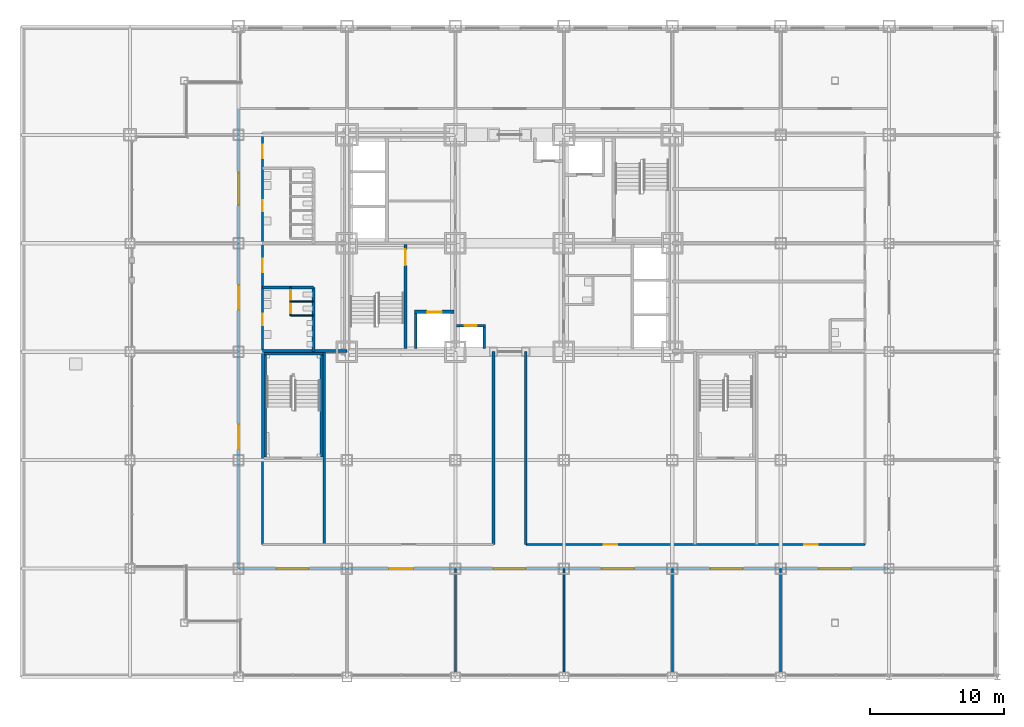
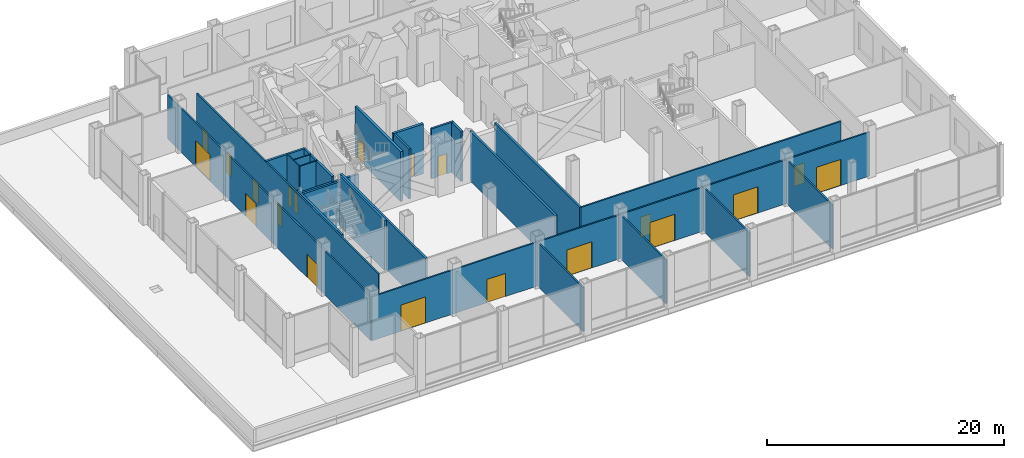
# One storey, part 19 of 26: 25 walls, 20 doors, 20 openings.
"""IFC4 building model written with IfcOpenShell, lengths in metres."""

from ifc_helpers import new_model, si_unit, direction, frame, frame_2d, origin, place, context, subcontext, project, spatial, rectangle, extrude, material, layer, layer_set, type_object, element, fill, save


model = new_model("IFC4")

# Units and contexts
model_context = context("Model", 3, precision=1e-05, world=origin(), true_north=direction((0.0, 1.0)))
body_context = subcontext(model_context, "Body", "Model", "MODEL_VIEW")
ifc_project = project(units=[si_unit("LENGTHUNIT", "METRE"), si_unit("AREAUNIT", "SQUARE_METRE"), si_unit("VOLUMEUNIT", "CUBIC_METRE"), si_unit("PLANEANGLEUNIT", "RADIAN"), si_unit("MASSUNIT", "GRAM", prefix="KILO")], contexts=[model_context])

# Site, building, storey
site_placement = place(None, origin())
site = spatial("IfcSite", under=ifc_project, at=site_placement, CompositionType="ELEMENT")
building_placement = place(site_placement, origin())
building = spatial("IfcBuilding", under=site, at=building_placement, Name="Kopane Lantern Tower", CompositionType="ELEMENT")
storey_placement = place(building_placement, frame((0.0, 0.0, 16.800048828125)))
storey = spatial("IfcBuildingStorey", under=building, at=storey_placement, Name="L03", CompositionType="ELEMENT", Elevation=16.800048828125)

# Wall, openings, doors
ifc_material_1 = material(Name="Moisture-resistant board on steel studs", Category="steel")
ifc_layer_1 = layer(ifc_material_1, 0.10009765625)
ifc_layer_set_1 = layer_set([ifc_layer_1], Name="BATHROOM WALL 100")
wall_type_1 = type_object("IfcWallType", Name="BATHROOM WALL 100", PredefinedType="PARTITIONING", material=ifc_layer_set_1)
wall_1_placement = place(storey_placement, frame((12.0, 27.0, 0.0), z_axis=(0.0, 0.0, 1.0), x_axis=(0.0, 1.0, 0.0)))
wall_1 = element("IfcWall", 1, at=wall_1_placement, inside=storey, type_object=wall_type_1, Name="Bathroom Wall 100 L03", PredefinedType="PARTITIONING", context=body_context, shape_type="SweptSolid", body=[
    extrude(rectangle(XDim=2.10009765625, YDim=0.10009765625, at=frame_2d((1.050048828125, 0.0))), origin(), (0.0, 0.0, 1.0), 5.14990234375),
])
opening_1_placement = place(wall_1_placement, frame((0.175048828125, 0.0, 0.0)))
opening_1 = element("IfcOpeningElement", 2, at=opening_1_placement, cuts=wall_1, Name="Opening L03-032", PredefinedType="OPENING", context=body_context, shape_type="SweptSolid", body=[
    extrude(rectangle(XDim=0.699951171875, YDim=2.0, at=frame_2d((0.35009765625, 1.0))), frame((0.0, 0.06005859375, 0.0), z_axis=(0.0, -1.0, 0.0), x_axis=(1.0, 0.0, 0.0)), (0.0, 0.0, 1.0), 0.1201171875),
])
opening_2_placement = place(wall_1_placement, frame((1.199951171875, 0.0, 0.0)))
opening_2 = element("IfcOpeningElement", 3, at=opening_2_placement, cuts=wall_1, Name="Opening L03-033", PredefinedType="OPENING", context=body_context, shape_type="SweptSolid", body=[
    extrude(rectangle(XDim=0.699951171875, YDim=2.0, at=frame_2d((0.35009765625, 1.0))), frame((0.0, 0.06005859375, 0.0), z_axis=(0.0, -1.0, 0.0), x_axis=(1.0, 0.0, 0.0)), (0.0, 0.0, 1.0), 0.1201171875),
])
ifc_material_2 = material(Name="Timber door set", Category="wood")
door_type_1 = type_object("IfcDoorType", Name="DOOR D13 700x2000 WC CUBICLE", OperationType="SINGLE_SWING_LEFT", PredefinedType="DOOR", material=ifc_material_2)
door_1_placement = place(opening_1_placement, origin())
door_1 = element("IfcDoor", 4, at=door_1_placement, inside=storey, type_object=door_type_1, Name="Door L03-032", OperationType="SINGLE_SWING_LEFT", OverallHeight=2.0, OverallWidth=0.699951171875, PredefinedType="DOOR", context=body_context, shape_type="SweptSolid", body=[
    extrude(rectangle(XDim=0.699951171875, YDim=2.0, at=frame_2d((0.35009765625, 1.0))), frame((0.0, 0.02490234375, 0.0), z_axis=(0.0, -1.0, 0.0), x_axis=(1.0, 0.0, 0.0)), (0.0, 0.0, 1.0), 0.050048828125),
])
fill(opening_1, door_1)
door_2_placement = place(opening_2_placement, origin())
door_2 = element("IfcDoor", 5, at=door_2_placement, inside=storey, type_object=door_type_1, Name="Door L03-033", OperationType="SINGLE_SWING_RIGHT", OverallHeight=2.0, OverallWidth=0.699951171875, PredefinedType="DOOR", context=body_context, shape_type="SweptSolid", body=[
    extrude(rectangle(XDim=0.699951171875, YDim=2.0, at=frame_2d((0.35009765625, 1.0))), frame((0.0, 0.02490234375, 0.0), z_axis=(0.0, -1.0, 0.0), x_axis=(1.0, 0.0, 0.0)), (0.0, 0.0, 1.0), 0.050048828125),
])
fill(opening_2, door_2)

# Walls
for number, where, z_axis, x_axis, name in (
    (6, (12.0, 27.0, 0.0), (0.0, 0.0, 1.0), (1.0, 0.0, 0.0), "Bathroom Wall 100 L03"),
    (7, (12.0, 28.050048828125, 0.0), (0.0, 0.0, 1.0), (1.0, 0.0, 0.0), "Bathroom Wall 100 L03"),
):
    element("IfcWall", number, at=place(storey_placement, frame(where, z_axis=z_axis, x_axis=x_axis)), inside=storey, type_object=wall_type_1, Name=name, PredefinedType="PARTITIONING", context=body_context, shape_type="SweptSolid", body=[
        extrude(rectangle(XDim=1.699951171875, YDim=0.10009765625, at=frame_2d((0.85009765625, 0.0))), origin(), (0.0, 0.0, 1.0), 5.14990234375),
    ])

# Wall, opening, door
ifc_material_3 = material(Name="Gypsum shaft wall EI 120", Category="gypsum")
ifc_layer_2 = layer(ifc_material_3, 0.25)
ifc_layer_set_2 = layer_set([ifc_layer_2], Name="CORE SHAFT WALL 250 EI 120")
wall_type_2 = type_object("IfcWallType", Name="CORE SHAFT WALL 250 EI 120", PredefinedType="SOLIDWALL", material=ifc_layer_set_2)
wall_2_placement = place(storey_placement, frame((20.574951171875, 24.550048828125, 0.0), z_axis=(0.0, 0.0, 1.0), x_axis=(0.0, 1.0, 0.0)))
wall_2 = element("IfcWall", 8, at=wall_2_placement, inside=storey, type_object=wall_type_2, Name="Core shaft wall L03 XST1", PredefinedType="SOLIDWALL", context=body_context, shape_type="SweptSolid", body=[
    extrude(rectangle(XDim=7.75, YDim=0.25, at=frame_2d((3.875, 0.0))), origin(), (0.0, 0.0, 1.0), 5.14990234375),
])
opening_3_placement = place(wall_2_placement, frame((6.199951171875, 0.0, 0.0)))
opening_3 = element("IfcOpeningElement", 9, at=opening_3_placement, cuts=wall_2, Name="Opening 03.SD1", PredefinedType="OPENING", context=body_context, shape_type="SweptSolid", body=[
    extrude(rectangle(XDim=1.199951171875, YDim=2.10009765625, at=frame_2d((0.60009765625, 1.050048828125))), frame((0.0, 0.135009765625, 0.0), z_axis=(0.0, -1.0, 0.0), x_axis=(1.0, 0.0, 0.0)), (0.0, 0.0, 1.0), 0.27001953125),
])
ifc_material_4 = material(Name="Steel door set", Category="steel")
door_type_2 = type_object("IfcDoorType", Name="STAIR DOOR 1200x2100 FD60S", OperationType="SINGLE_SWING_LEFT", PredefinedType="DOOR", material=ifc_material_4)
door_3_placement = place(opening_3_placement, origin())
door_3 = element("IfcDoor", 10, at=door_3_placement, inside=storey, type_object=door_type_2, Name="Stair door ST1 L03", OperationType="SINGLE_SWING_LEFT", OverallHeight=2.10009765625, OverallWidth=1.199951171875, PredefinedType="DOOR", context=body_context, shape_type="SweptSolid", body=[
    extrude(rectangle(XDim=1.199951171875, YDim=2.10009765625, at=frame_2d((0.60009765625, 1.050048828125))), frame((0.0, 0.02490234375, 0.0), z_axis=(0.0, -1.0, 0.0), x_axis=(1.0, 0.0, 0.0)), (0.0, 0.0, 1.0), 0.050048828125),
])
fill(opening_3, door_3)

wall_3_placement = place(storey_placement, frame((21.25, 27.27490234375, 0.0), z_axis=(0.0, 0.0, 1.0), x_axis=(1.0, 0.0, 0.0)))
wall_3 = element("IfcWall", 11, at=wall_3_placement, inside=storey, type_object=wall_type_2, Name="Core shaft wall L03 YLF1", PredefinedType="SOLIDWALL", context=body_context, shape_type="SweptSolid", body=[
    extrude(rectangle(XDim=2.949951171875, YDim=0.25, at=frame_2d((1.47509765625, 0.0))), origin(), (0.0, 0.0, 1.0), 5.14990234375),
])
opening_4_placement = place(wall_3_placement, frame((0.949951171875, 0.0, 0.0)))
opening_4 = element("IfcOpeningElement", 12, at=opening_4_placement, cuts=wall_3, Name="Opening 03.LD-LF1", PredefinedType="OPENING", context=body_context, shape_type="SweptSolid", body=[
    extrude(rectangle(XDim=1.10009765625, YDim=2.39990234375, at=frame_2d((0.550048828125, 1.199951171875))), frame((0.0, 0.135009765625, 0.0), z_axis=(0.0, -1.0, 0.0), x_axis=(1.0, 0.0, 0.0)), (0.0, 0.0, 1.0), 0.27001953125),
])
ifc_material_5 = material(Name="Steel door set", Category="steel")
door_type_3 = type_object("IfcDoorType", Name="LIFT LANDING DOOR 1100x2400 FD60", OperationType="DOUBLE_DOOR_SLIDING", PredefinedType="DOOR", material=ifc_material_5)
door_4_placement = place(opening_4_placement, origin())
door_4 = element("IfcDoor", 13, at=door_4_placement, inside=storey, type_object=door_type_3, Name="Landing door LF1 L03", OperationType="DOUBLE_DOOR_SLIDING", OverallHeight=2.39990234375, OverallWidth=1.10009765625, PredefinedType="DOOR", context=body_context, shape_type="SweptSolid", body=[
    extrude(rectangle(XDim=1.10009765625, YDim=2.39990234375, at=frame_2d((0.550048828125, 1.199951171875))), frame((0.0, 0.02490234375, 0.0), z_axis=(0.0, -1.0, 0.0), x_axis=(1.0, 0.0, 0.0)), (0.0, 0.0, 1.0), 0.050048828125),
])
fill(opening_4, door_4)

# Wall, openings, doors
ifc_material_6 = material(Name="Gypsum board on steel studs", Category="steel")
ifc_layer_3 = layer(ifc_material_6, 0.14990234375)
ifc_layer_set_3 = layer_set([ifc_layer_3], Name="CORRIDOR WALL 150 EI 60")
wall_type_3 = type_object("IfcWallType", Name="CORRIDOR WALL 150 EI 60", PredefinedType="PARTITIONING", material=ifc_layer_set_3)
wall_4_placement = place(storey_placement, frame((8.10009765625, 8.10009765625, 0.0), z_axis=(0.0, 0.0, 1.0), x_axis=(1.0, 0.0, 0.0)))
wall_4 = element("IfcWall", 14, at=wall_4_placement, inside=storey, type_object=wall_type_3, Name="Corridor Wall 150 Ei 60 L03", PredefinedType="PARTITIONING", context=body_context, shape_type="SweptSolid", body=[
    extrude(rectangle(XDim=48.599853515625, YDim=0.14990234375, at=frame_2d((24.2998046875, 0.0))), origin(), (0.0, 0.0, 1.0), 4.537841796875),
])
opening_5_placement = place(wall_4_placement, frame((11.25, 0.0, 0.0)))
opening_5 = element("IfcOpeningElement", 15, at=opening_5_placement, cuts=wall_4, Name="Opening L03-013", PredefinedType="OPENING", context=body_context, shape_type="SweptSolid", body=[
    extrude(rectangle(XDim=1.800048828125, YDim=2.39990234375, at=frame_2d((0.89990234375, 1.199951171875))), frame((0.0, 0.0849609375, 0.0), z_axis=(0.0, -1.0, 0.0), x_axis=(1.0, 0.0, 0.0)), (0.0, 0.0, 1.0), 0.169921875),
])
opening_6_placement = place(wall_4_placement, frame((19.050048828125, 0.0, 0.0)))
opening_6 = element("IfcOpeningElement", 16, at=opening_6_placement, cuts=wall_4, Name="Opening L03-014", PredefinedType="OPENING", context=body_context, shape_type="SweptSolid", body=[
    extrude(rectangle(XDim=2.39990234375, YDim=2.699951171875, at=frame_2d((1.199951171875, 1.35009765625))), frame((0.0, 0.0849609375, 0.0), z_axis=(0.0, -1.0, 0.0), x_axis=(1.0, 0.0, 0.0)), (0.0, 0.0, 1.0), 0.169921875),
])
opening_7_placement = place(wall_4_placement, frame((27.14990234375, 0.0, 0.0)))
opening_7 = element("IfcOpeningElement", 17, at=opening_7_placement, cuts=wall_4, Name="Opening L03-015", PredefinedType="OPENING", context=body_context, shape_type="SweptSolid", body=[
    extrude(rectangle(XDim=2.39990234375, YDim=2.699951171875, at=frame_2d((1.199951171875, 1.35009765625))), frame((0.0, 0.0849609375, 0.0), z_axis=(0.0, -1.0, 0.0), x_axis=(1.0, 0.0, 0.0)), (0.0, 0.0, 1.0), 0.169921875),
])
opening_8_placement = place(wall_4_placement, frame((35.25, 0.0, 0.0)))
opening_8 = element("IfcOpeningElement", 18, at=opening_8_placement, cuts=wall_4, Name="Opening L03-016", PredefinedType="OPENING", context=body_context, shape_type="SweptSolid", body=[
    extrude(rectangle(XDim=2.39990234375, YDim=2.699951171875, at=frame_2d((1.199951171875, 1.35009765625))), frame((0.0, 0.0849609375, 0.0), z_axis=(0.0, -1.0, 0.0), x_axis=(1.0, 0.0, 0.0)), (0.0, 0.0, 1.0), 0.169921875),
])
opening_9_placement = place(wall_4_placement, frame((2.85009765625, 0.0, 0.0)))
opening_9 = element("IfcOpeningElement", 19, at=opening_9_placement, cuts=wall_4, Name="Opening L03-028", PredefinedType="OPENING", context=body_context, shape_type="SweptSolid", body=[
    extrude(rectangle(XDim=2.39990234375, YDim=2.699951171875, at=frame_2d((1.199951171875, 1.35009765625))), frame((0.0, 0.0849609375, 0.0), z_axis=(0.0, -1.0, 0.0), x_axis=(1.0, 0.0, 0.0)), (0.0, 0.0, 1.0), 0.169921875),
])
opening_10_placement = place(wall_4_placement, frame((43.35009765625, 0.0, 0.0)))
opening_10 = element("IfcOpeningElement", 20, at=opening_10_placement, cuts=wall_4, Name="Opening L03-029", PredefinedType="OPENING", context=body_context, shape_type="SweptSolid", body=[
    extrude(rectangle(XDim=2.39990234375, YDim=2.699951171875, at=frame_2d((1.199951171875, 1.35009765625))), frame((0.0, 0.0849609375, 0.0), z_axis=(0.0, -1.0, 0.0), x_axis=(1.0, 0.0, 0.0)), (0.0, 0.0, 1.0), 0.169921875),
])
ifc_material_7 = material(Name="Steel door set", Category="steel")
door_type_4 = type_object("IfcDoorType", Name="DOOR D6 1800x2400 FD30S", OperationType="SINGLE_SWING_LEFT", PredefinedType="DOOR", material=ifc_material_7)
door_5_placement = place(opening_5_placement, origin())
door_5 = element("IfcDoor", 21, at=door_5_placement, inside=storey, type_object=door_type_4, Name="Door L03-013", OperationType="DOUBLE_DOOR_SINGLE_SWING", OverallHeight=2.39990234375, OverallWidth=1.800048828125, PredefinedType="DOOR", context=body_context, shape_type="SweptSolid", body=[
    extrude(rectangle(XDim=1.800048828125, YDim=2.39990234375, at=frame_2d((0.89990234375, 1.199951171875))), frame((0.0, 0.02490234375, 0.0), z_axis=(0.0, -1.0, 0.0), x_axis=(1.0, 0.0, 0.0)), (0.0, 0.0, 1.0), 0.050048828125),
])
fill(opening_5, door_5)
ifc_material_8 = material(Name="Timber door set", Category="wood")
door_type_5 = type_object("IfcDoorType", Name="DOOR D7 2400x2700 SHOPFRONT", OperationType="SINGLE_SWING_LEFT", PredefinedType="DOOR", material=ifc_material_8)
door_6_placement = place(opening_6_placement, origin())
door_6 = element("IfcDoor", 22, at=door_6_placement, inside=storey, type_object=door_type_5, Name="Door L03-014", OperationType="DOUBLE_DOOR_SINGLE_SWING", OverallHeight=2.699951171875, OverallWidth=2.39990234375, PredefinedType="DOOR", context=body_context, shape_type="SweptSolid", body=[
    extrude(rectangle(XDim=2.39990234375, YDim=2.699951171875, at=frame_2d((1.199951171875, 1.35009765625))), frame((0.0, 0.02490234375, 0.0), z_axis=(0.0, -1.0, 0.0), x_axis=(1.0, 0.0, 0.0)), (0.0, 0.0, 1.0), 0.050048828125),
])
fill(opening_6, door_6)
door_7_placement = place(opening_7_placement, origin())
door_7 = element("IfcDoor", 23, at=door_7_placement, inside=storey, type_object=door_type_5, Name="Door L03-015", OperationType="DOUBLE_DOOR_SINGLE_SWING", OverallHeight=2.699951171875, OverallWidth=2.39990234375, PredefinedType="DOOR", context=body_context, shape_type="SweptSolid", body=[
    extrude(rectangle(XDim=2.39990234375, YDim=2.699951171875, at=frame_2d((1.199951171875, 1.35009765625))), frame((0.0, 0.02490234375, 0.0), z_axis=(0.0, -1.0, 0.0), x_axis=(1.0, 0.0, 0.0)), (0.0, 0.0, 1.0), 0.050048828125),
])
fill(opening_7, door_7)
door_8_placement = place(opening_8_placement, origin())
door_8 = element("IfcDoor", 24, at=door_8_placement, inside=storey, type_object=door_type_5, Name="Door L03-016", OperationType="DOUBLE_DOOR_SINGLE_SWING", OverallHeight=2.699951171875, OverallWidth=2.39990234375, PredefinedType="DOOR", context=body_context, shape_type="SweptSolid", body=[
    extrude(rectangle(XDim=2.39990234375, YDim=2.699951171875, at=frame_2d((1.199951171875, 1.35009765625))), frame((0.0, 0.02490234375, 0.0), z_axis=(0.0, -1.0, 0.0), x_axis=(1.0, 0.0, 0.0)), (0.0, 0.0, 1.0), 0.050048828125),
])
fill(opening_8, door_8)
door_9_placement = place(opening_9_placement, origin())
door_9 = element("IfcDoor", 25, at=door_9_placement, inside=storey, type_object=door_type_5, Name="Door L03-028", OperationType="DOUBLE_DOOR_SINGLE_SWING", OverallHeight=2.699951171875, OverallWidth=2.39990234375, PredefinedType="DOOR", context=body_context, shape_type="SweptSolid", body=[
    extrude(rectangle(XDim=2.39990234375, YDim=2.699951171875, at=frame_2d((1.199951171875, 1.35009765625))), frame((0.0, 0.02490234375, 0.0), z_axis=(0.0, -1.0, 0.0), x_axis=(1.0, 0.0, 0.0)), (0.0, 0.0, 1.0), 0.050048828125),
])
fill(opening_9, door_9)
door_10_placement = place(opening_10_placement, origin())
door_10 = element("IfcDoor", 26, at=door_10_placement, inside=storey, type_object=door_type_5, Name="Door L03-029", OperationType="DOUBLE_DOOR_SINGLE_SWING", OverallHeight=2.699951171875, OverallWidth=2.39990234375, PredefinedType="DOOR", context=body_context, shape_type="SweptSolid", body=[
    extrude(rectangle(XDim=2.39990234375, YDim=2.699951171875, at=frame_2d((1.199951171875, 1.35009765625))), frame((0.0, 0.02490234375, 0.0), z_axis=(0.0, -1.0, 0.0), x_axis=(1.0, 0.0, 0.0)), (0.0, 0.0, 1.0), 0.050048828125),
])
fill(opening_10, door_10)

wall_5_placement = place(storey_placement, frame((8.10009765625, 8.10009765625, 0.0), z_axis=(0.0, 0.0, 1.0), x_axis=(0.0, 1.0, 0.0)))
wall_5 = element("IfcWall", 27, at=wall_5_placement, inside=storey, type_object=wall_type_3, Name="Corridor Wall 150 Ei 60 L03", PredefinedType="PARTITIONING", context=body_context, shape_type="SweptSolid", body=[
    extrude(rectangle(XDim=34.349853515625, YDim=0.14990234375, at=frame_2d((17.1748046875, 0.0))), origin(), (0.0, 0.0, 1.0), 4.537841796875),
])
opening_11_placement = place(wall_5_placement, frame((8.949951171875, 0.0, 0.0)))
opening_11 = element("IfcOpeningElement", 28, at=opening_11_placement, cuts=wall_5, Name="Opening L03-021", PredefinedType="OPENING", context=body_context, shape_type="SweptSolid", body=[
    extrude(rectangle(XDim=1.800048828125, YDim=2.39990234375, at=frame_2d((0.89990234375, 1.199951171875))), frame((0.0, 0.0849609375, 0.0), z_axis=(0.0, -1.0, 0.0), x_axis=(1.0, 0.0, 0.0)), (0.0, 0.0, 1.0), 0.169921875),
])
opening_12_placement = place(wall_5_placement, frame((19.35009765625, 0.0, 0.0)))
opening_12 = element("IfcOpeningElement", 29, at=opening_12_placement, cuts=wall_5, Name="Opening L03-022", PredefinedType="OPENING", context=body_context, shape_type="SweptSolid", body=[
    extrude(rectangle(XDim=1.800048828125, YDim=2.39990234375, at=frame_2d((0.89990234375, 1.199951171875))), frame((0.0, 0.0849609375, 0.0), z_axis=(0.0, -1.0, 0.0), x_axis=(1.0, 0.0, 0.0)), (0.0, 0.0, 1.0), 0.169921875),
])
opening_13_placement = place(wall_5_placement, frame((27.14990234375, 0.0, 0.0)))
opening_13 = element("IfcOpeningElement", 30, at=opening_13_placement, cuts=wall_5, Name="Opening L03-023", PredefinedType="OPENING", context=body_context, shape_type="SweptSolid", body=[
    extrude(rectangle(XDim=2.39990234375, YDim=2.699951171875, at=frame_2d((1.199951171875, 1.35009765625))), frame((0.0, 0.0849609375, 0.0), z_axis=(0.0, -1.0, 0.0), x_axis=(1.0, 0.0, 0.0)), (0.0, 0.0, 1.0), 0.169921875),
])
door_11_placement = place(opening_11_placement, origin())
door_11 = element("IfcDoor", 31, at=door_11_placement, inside=storey, type_object=door_type_4, Name="Door L03-021", OperationType="DOUBLE_DOOR_SINGLE_SWING", OverallHeight=2.39990234375, OverallWidth=1.800048828125, PredefinedType="DOOR", context=body_context, shape_type="SweptSolid", body=[
    extrude(rectangle(XDim=1.800048828125, YDim=2.39990234375, at=frame_2d((0.89990234375, 1.199951171875))), frame((0.0, 0.02490234375, 0.0), z_axis=(0.0, -1.0, 0.0), x_axis=(1.0, 0.0, 0.0)), (0.0, 0.0, 1.0), 0.050048828125),
])
fill(opening_11, door_11)
door_12_placement = place(opening_12_placement, origin())
door_12 = element("IfcDoor", 32, at=door_12_placement, inside=storey, type_object=door_type_4, Name="Door L03-022", OperationType="DOUBLE_DOOR_SINGLE_SWING", OverallHeight=2.39990234375, OverallWidth=1.800048828125, PredefinedType="DOOR", context=body_context, shape_type="SweptSolid", body=[
    extrude(rectangle(XDim=1.800048828125, YDim=2.39990234375, at=frame_2d((0.89990234375, 1.199951171875))), frame((0.0, 0.02490234375, 0.0), z_axis=(0.0, -1.0, 0.0), x_axis=(1.0, 0.0, 0.0)), (0.0, 0.0, 1.0), 0.050048828125),
])
fill(opening_12, door_12)
door_13_placement = place(opening_13_placement, origin())
door_13 = element("IfcDoor", 33, at=door_13_placement, inside=storey, type_object=door_type_5, Name="Door L03-023", OperationType="DOUBLE_DOOR_SINGLE_SWING", OverallHeight=2.699951171875, OverallWidth=2.39990234375, PredefinedType="DOOR", context=body_context, shape_type="SweptSolid", body=[
    extrude(rectangle(XDim=2.39990234375, YDim=2.699951171875, at=frame_2d((1.199951171875, 1.35009765625))), frame((0.0, 0.02490234375, 0.0), z_axis=(0.0, -1.0, 0.0), x_axis=(1.0, 0.0, 0.0)), (0.0, 0.0, 1.0), 0.050048828125),
])
fill(opening_13, door_13)

wall_6_placement = place(storey_placement, frame((9.89990234375, 40.64990234375, 0.0), z_axis=(0.0, 0.0, 1.0), x_axis=(0.0, -1.0, 0.0)))
wall_6 = element("IfcWall", 34, at=wall_6_placement, inside=storey, type_object=wall_type_3, Name="Corridor Wall 150 Ei 60 L03", PredefinedType="PARTITIONING", context=body_context, shape_type="SweptSolid", body=[
    extrude(rectangle(XDim=30.75, YDim=0.14990234375, at=frame_2d((15.375, 0.0))), origin(), (0.0, 0.0, 1.0), 5.14990234375),
])
opening_14_placement = place(wall_6_placement, frame((13.52490234375, 0.0, 0.0)))
opening_14 = element("IfcOpeningElement", 35, at=opening_14_placement, cuts=wall_6, Name="Opening L03-001", PredefinedType="OPENING", context=body_context, shape_type="SweptSolid", body=[
    extrude(rectangle(XDim=0.85009765625, YDim=2.10009765625, at=frame_2d((0.425048828125, 1.050048828125))), frame((0.0, 0.0849609375, 0.0), z_axis=(0.0, -1.0, 0.0), x_axis=(1.0, 0.0, 0.0)), (0.0, 0.0, 1.0), 0.169921875),
])
opening_15_placement = place(wall_6_placement, frame((9.39990234375, 0.0, 0.0)))
opening_15 = element("IfcOpeningElement", 36, at=opening_15_placement, cuts=wall_6, Name="Opening L03-002", PredefinedType="OPENING", context=body_context, shape_type="SweptSolid", body=[
    extrude(rectangle(XDim=1.0, YDim=2.10009765625, at=frame_2d((0.5, 1.050048828125))), frame((0.0, 0.0849609375, 0.0), z_axis=(0.0, -1.0, 0.0), x_axis=(1.0, 0.0, 0.0)), (0.0, 0.0, 1.0), 0.169921875),
])
opening_16_placement = place(wall_6_placement, frame((5.02490234375, 0.0, 0.0)))
opening_16 = element("IfcOpeningElement", 37, at=opening_16_placement, cuts=wall_6, Name="Opening L03-003", PredefinedType="OPENING", context=body_context, shape_type="SweptSolid", body=[
    extrude(rectangle(XDim=0.85009765625, YDim=2.10009765625, at=frame_2d((0.425048828125, 1.050048828125))), frame((0.0, 0.0849609375, 0.0), z_axis=(0.0, -1.0, 0.0), x_axis=(1.0, 0.0, 0.0)), (0.0, 0.0, 1.0), 0.169921875),
])
opening_17_placement = place(wall_6_placement, frame((0.89990234375, 0.0, 0.0)))
opening_17 = element("IfcOpeningElement", 38, at=opening_17_placement, cuts=wall_6, Name="Opening L03-004", PredefinedType="OPENING", context=body_context, shape_type="SweptSolid", body=[
    extrude(rectangle(XDim=1.0, YDim=2.10009765625, at=frame_2d((0.5, 1.050048828125))), frame((0.0, 0.0849609375, 0.0), z_axis=(0.0, -1.0, 0.0), x_axis=(1.0, 0.0, 0.0)), (0.0, 0.0, 1.0), 0.169921875),
])
ifc_material_9 = material(Name="Timber door set", Category="wood")
door_type_6 = type_object("IfcDoorType", Name="DOOR D4 850x2100", OperationType="SINGLE_SWING_LEFT", PredefinedType="DOOR", material=ifc_material_9)
door_14_placement = place(opening_14_placement, origin())
door_14 = element("IfcDoor", 39, at=door_14_placement, inside=storey, type_object=door_type_6, Name="Door L03-001", OperationType="SINGLE_SWING_RIGHT", OverallHeight=2.10009765625, OverallWidth=0.85009765625, PredefinedType="DOOR", context=body_context, shape_type="SweptSolid", body=[
    extrude(rectangle(XDim=0.85009765625, YDim=2.10009765625, at=frame_2d((0.425048828125, 1.050048828125))), frame((0.0, 0.02490234375, 0.0), z_axis=(0.0, -1.0, 0.0), x_axis=(1.0, 0.0, 0.0)), (0.0, 0.0, 1.0), 0.050048828125),
])
fill(opening_14, door_14)
door_15_placement = place(opening_16_placement, origin())
door_15 = element("IfcDoor", 40, at=door_15_placement, inside=storey, type_object=door_type_6, Name="Door L03-003", OperationType="SINGLE_SWING_RIGHT", OverallHeight=2.10009765625, OverallWidth=0.85009765625, PredefinedType="DOOR", context=body_context, shape_type="SweptSolid", body=[
    extrude(rectangle(XDim=0.85009765625, YDim=2.10009765625, at=frame_2d((0.425048828125, 1.050048828125))), frame((0.0, 0.02490234375, 0.0), z_axis=(0.0, -1.0, 0.0), x_axis=(1.0, 0.0, 0.0)), (0.0, 0.0, 1.0), 0.050048828125),
])
fill(opening_16, door_15)
ifc_material_10 = material(Name="Steel door set", Category="steel")
door_type_7 = type_object("IfcDoorType", Name="DOOR D5 1000x2100 FD60", OperationType="SINGLE_SWING_LEFT", PredefinedType="DOOR", material=ifc_material_10)
door_16_placement = place(opening_15_placement, origin())
door_16 = element("IfcDoor", 41, at=door_16_placement, inside=storey, type_object=door_type_7, Name="Door L03-002", OperationType="SINGLE_SWING_LEFT", OverallHeight=2.10009765625, OverallWidth=1.0, PredefinedType="DOOR", context=body_context, shape_type="SweptSolid", body=[
    extrude(rectangle(XDim=1.0, YDim=2.10009765625, at=frame_2d((0.5, 1.050048828125))), frame((0.0, 0.02490234375, 0.0), z_axis=(0.0, -1.0, 0.0), x_axis=(1.0, 0.0, 0.0)), (0.0, 0.0, 1.0), 0.050048828125),
])
fill(opening_15, door_16)
door_17_placement = place(opening_17_placement, origin())
door_17 = element("IfcDoor", 42, at=door_17_placement, inside=storey, type_object=door_type_7, Name="Door L03-004", OperationType="SINGLE_SWING_RIGHT", OverallHeight=2.10009765625, OverallWidth=1.0, PredefinedType="DOOR", context=body_context, shape_type="SweptSolid", body=[
    extrude(rectangle(XDim=1.0, YDim=2.10009765625, at=frame_2d((0.5, 1.050048828125))), frame((0.0, 0.02490234375, 0.0), z_axis=(0.0, -1.0, 0.0), x_axis=(1.0, 0.0, 0.0)), (0.0, 0.0, 1.0), 0.050048828125),
])
fill(opening_17, door_17)

wall_7_placement = place(storey_placement, frame((29.56005859375, 9.89990234375, 0.0), z_axis=(0.0, 0.0, 1.0), x_axis=(1.0, 0.0, 0.0)))
wall_7 = element("IfcWall", 43, at=wall_7_placement, inside=storey, type_object=wall_type_3, Name="Corridor Wall 150 Ei 60 L03", PredefinedType="PARTITIONING", context=body_context, shape_type="SweptSolid", body=[
    extrude(rectangle(XDim=25.33984375, YDim=0.14990234375, at=frame_2d((12.669921875, 0.0))), origin(), (0.0, 0.0, 1.0), 5.14990234375),
])
opening_18_placement = place(wall_7_placement, frame((5.81494140625, 0.0, 0.0)))
opening_18 = element("IfcOpeningElement", 44, at=opening_18_placement, cuts=wall_7, Name="Opening L03-011", PredefinedType="OPENING", context=body_context, shape_type="SweptSolid", body=[
    extrude(rectangle(XDim=1.0, YDim=2.10009765625, at=frame_2d((0.5, 1.050048828125))), frame((0.0, 0.0849609375, 0.0), z_axis=(0.0, -1.0, 0.0), x_axis=(1.0, 0.0, 0.0)), (0.0, 0.0, 1.0), 0.169921875),
])
opening_19_placement = place(wall_7_placement, frame((20.7900390625, 0.0, 0.0)))
opening_19 = element("IfcOpeningElement", 45, at=opening_19_placement, cuts=wall_7, Name="Opening L03-012", PredefinedType="OPENING", context=body_context, shape_type="SweptSolid", body=[
    extrude(rectangle(XDim=1.0, YDim=2.10009765625, at=frame_2d((0.5, 1.050048828125))), frame((0.0, 0.0849609375, 0.0), z_axis=(0.0, -1.0, 0.0), x_axis=(1.0, 0.0, 0.0)), (0.0, 0.0, 1.0), 0.169921875),
])
door_18_placement = place(opening_18_placement, origin())
door_18 = element("IfcDoor", 46, at=door_18_placement, inside=storey, type_object=door_type_7, Name="Door L03-011", OperationType="SINGLE_SWING_LEFT", OverallHeight=2.10009765625, OverallWidth=1.0, PredefinedType="DOOR", context=body_context, shape_type="SweptSolid", body=[
    extrude(rectangle(XDim=1.0, YDim=2.10009765625, at=frame_2d((0.5, 1.050048828125))), frame((0.0, 0.02490234375, 0.0), z_axis=(0.0, -1.0, 0.0), x_axis=(1.0, 0.0, 0.0)), (0.0, 0.0, 1.0), 0.050048828125),
])
fill(opening_18, door_18)
door_19_placement = place(opening_19_placement, origin())
door_19 = element("IfcDoor", 47, at=door_19_placement, inside=storey, type_object=door_type_7, Name="Door L03-012", OperationType="SINGLE_SWING_RIGHT", OverallHeight=2.10009765625, OverallWidth=1.0, PredefinedType="DOOR", context=body_context, shape_type="SweptSolid", body=[
    extrude(rectangle(XDim=1.0, YDim=2.10009765625, at=frame_2d((0.5, 1.050048828125))), frame((0.0, 0.02490234375, 0.0), z_axis=(0.0, -1.0, 0.0), x_axis=(1.0, 0.0, 0.0)), (0.0, 0.0, 1.0), 0.050048828125),
])
fill(opening_19, door_19)

# Walls
ifc_material_11 = material(Name="Gypsum board on steel studs", Category="steel")
ifc_layer_4 = layer(ifc_material_11, 0.14990234375)
ifc_layer_set_4 = layer_set([ifc_layer_4], Name="DEMISING WALL 150 EI 60")
wall_type_4 = type_object("IfcWallType", Name="DEMISING WALL 150 EI 60", PredefinedType="PARTITIONING", material=ifc_layer_set_4)
for number, where, z_axis, x_axis, name in (
    (48, (24.300048828125, 8.10009765625, 0.0), (0.0, 0.0, 1.0), (0.0, -1.0, 0.0), "Demising Wall 150 Ei 60 L03"),
    (49, (32.39990234375, 8.10009765625, 0.0), (0.0, 0.0, 1.0), (0.0, -1.0, 0.0), "Demising Wall 150 Ei 60 L03"),
    (50, (40.5, 8.10009765625, 0.0), (0.0, 0.0, 1.0), (0.0, -1.0, 0.0), "Demising Wall 150 Ei 60 L03"),
    (51, (48.60009765625, 8.10009765625, 0.0), (0.0, 0.0, 1.0), (0.0, -1.0, 0.0), "Demising Wall 150 Ei 60 L03"),
):
    element("IfcWall", number, at=place(storey_placement, frame(where, z_axis=z_axis, x_axis=x_axis)), inside=storey, type_object=wall_type_4, Name=name, PredefinedType="PARTITIONING", context=body_context, shape_type="SweptSolid", body=[
        extrude(rectangle(XDim=7.800048828125, YDim=0.14990234375, at=frame_2d((3.89990234375, 0.0))), origin(), (0.0, 0.0, 1.0), 4.537841796875),
    ])
ifc_material_12 = material(Name="Concrete masonry", Category="masonry")
ifc_layer_5 = layer(ifc_material_12, 0.199951171875)
ifc_layer_set_5 = layer_set([ifc_layer_5], Name="PLANT ROOM WALL 200 EI 120")
wall_type_5 = type_object("IfcWallType", Name="PLANT ROOM WALL 200 EI 120", PredefinedType="SOLIDWALL", material=ifc_layer_set_5)
wall_8_placement = place(storey_placement, frame((9.89990234375, 29.10009765625, 0.0), z_axis=(0.0, 0.0, 1.0), x_axis=(1.0, 0.0, 0.0)))
element("IfcWall", 52, at=wall_8_placement, inside=storey, type_object=wall_type_5, Name="Plant Room Wall 200 Ei 120 L03", PredefinedType="SOLIDWALL", context=body_context, shape_type="SweptSolid", body=[
    extrude(rectangle(XDim=3.800048828125, YDim=0.199951171875, at=frame_2d((1.89990234375, 0.0))), origin(), (0.0, 0.0, 1.0), 5.14990234375),
])
wall_9_placement = place(storey_placement, frame((13.699951171875, 24.300048828125, 0.0), z_axis=(0.0, 0.0, 1.0), x_axis=(0.0, 1.0, 0.0)))
element("IfcWall", 53, at=wall_9_placement, inside=storey, type_object=wall_type_5, Name="Plant Room Wall 200 Ei 120 L03", PredefinedType="SOLIDWALL", context=body_context, shape_type="SweptSolid", body=[
    extrude(rectangle(XDim=4.800048828125, YDim=0.199951171875, at=frame_2d((2.39990234375, 0.0))), origin(), (0.0, 0.0, 1.0), 5.14990234375),
])
for number, where, z_axis, x_axis, name in (
    (54, (14.5, 9.89990234375, 0.0), (0.0, 0.0, 1.0), (0.0, 1.0, 0.0), "Plant Room Wall 200 Ei 120 L03"),
    (55, (27.14990234375, 9.89990234375, 0.0), (0.0, 0.0, 1.0), (0.0, 1.0, 0.0), "Plant Room Wall 200 Ei 120 L03"),
    (56, (29.550048828125, 9.89990234375, 0.0), (0.0, 0.0, 1.0), (0.0, 1.0, 0.0), "Plant Room Wall 200 Ei 120 L03"),
):
    element("IfcWall", number, at=place(storey_placement, frame(where, z_axis=z_axis, x_axis=x_axis)), inside=storey, type_object=wall_type_5, Name=name, PredefinedType="SOLIDWALL", context=body_context, shape_type="SweptSolid", body=[
        extrude(rectangle(XDim=14.400146484375, YDim=0.199951171875, at=frame_2d((7.2001953125, 0.0))), origin(), (0.0, 0.0, 1.0), 5.14990234375),
    ])
wall_10_placement = place(storey_placement, frame((9.89990234375, 24.35009765625, 0.0), z_axis=(0.0, 0.0, 1.0), x_axis=(1.0, 0.0, 0.0)))
element("IfcWall", 57, at=wall_10_placement, inside=storey, type_object=wall_type_5, Name="Plant Room Wall 200 Ei 120 L03", PredefinedType="SOLIDWALL", context=body_context, shape_type="SweptSolid", body=[
    extrude(rectangle(XDim=6.300048828125, YDim=0.199951171875, at=frame_2d((3.14990234375, 0.0))), origin(), (0.0, 0.0, 1.0), 4.537841796875),
])
ifc_material_13 = material(Name="Gypsum shaft wall EI 120", Category="gypsum")
ifc_layer_6 = layer(ifc_material_13, 0.199951171875)
ifc_layer_set_6 = layer_set([ifc_layer_6], Name="SHAFT WALL 200 EI 120")
wall_type_6 = type_object("IfcWallType", Name="SHAFT WALL 200 EI 120", PredefinedType="SOLIDWALL", material=ifc_layer_set_6)
wall_11_placement = place(storey_placement, frame((21.35009765625, 24.550048828125, 0.0), z_axis=(0.0, 0.0, 1.0), x_axis=(0.0, 1.0, 0.0)))
element("IfcWall", 58, at=wall_11_placement, inside=storey, type_object=wall_type_6, Name="Core shaft wall L03 XLF1", PredefinedType="SOLIDWALL", context=body_context, shape_type="SweptSolid", body=[
    extrude(rectangle(XDim=2.599853515625, YDim=0.199951171875, at=frame_2d((1.2998046875, 0.0))), origin(), (0.0, 0.0, 1.0), 5.14990234375),
])
wall_12_placement = place(storey_placement, frame((26.449951171875, 24.550048828125, 0.0), z_axis=(0.0, 0.0, 1.0), x_axis=(0.0, 1.0, 0.0)))
element("IfcWall", 59, at=wall_12_placement, inside=storey, type_object=wall_type_6, Name="Core shaft wall L03 XRS1", PredefinedType="SOLIDWALL", context=body_context, shape_type="SweptSolid", body=[
    extrude(rectangle(XDim=1.599853515625, YDim=0.199951171875, at=frame_2d((0.7998046875, 0.0))), origin(), (0.0, 0.0, 1.0), 5.14990234375),
])

# Wall, opening, door
wall_13_placement = place(storey_placement, frame((24.39990234375, 26.25, 0.0), z_axis=(0.0, 0.0, 1.0), x_axis=(1.0, 0.0, 0.0)))
wall_13 = element("IfcWall", 60, at=wall_13_placement, inside=storey, type_object=wall_type_6, Name="Core shaft wall L03 YRS1", PredefinedType="SOLIDWALL", context=body_context, shape_type="SweptSolid", body=[
    extrude(rectangle(XDim=2.150146484375, YDim=0.199951171875, at=frame_2d((1.0751953125, 0.0))), origin(), (0.0, 0.0, 1.0), 5.14990234375),
])
opening_20_placement = place(wall_13_placement, frame((0.60009765625, 0.0, 0.0)))
opening_20 = element("IfcOpeningElement", 61, at=opening_20_placement, cuts=wall_13, Name="Opening 03.RS1", PredefinedType="OPENING", context=body_context, shape_type="SweptSolid", body=[
    extrude(rectangle(XDim=0.89990234375, YDim=2.10009765625, at=frame_2d((0.449951171875, 1.050048828125))), frame((0.0, 0.10986328125, 0.0), z_axis=(0.0, -1.0, 0.0), x_axis=(1.0, 0.0, 0.0)), (0.0, 0.0, 1.0), 0.219970703125),
])
ifc_material_14 = material(Name="Steel door set", Category="steel")
door_type_8 = type_object("IfcDoorType", Name="RISER ACCESS DOOR 900x2100 FD60", OperationType="SINGLE_SWING_LEFT", PredefinedType="DOOR", material=ifc_material_14)
door_20_placement = place(opening_20_placement, origin())
door_20 = element("IfcDoor", 62, at=door_20_placement, inside=storey, type_object=door_type_8, Name="Riser access door RS1 L03", OperationType="SINGLE_SWING_LEFT", OverallHeight=2.10009765625, OverallWidth=0.89990234375, PredefinedType="DOOR", context=body_context, shape_type="SweptSolid", body=[
    extrude(rectangle(XDim=0.89990234375, YDim=2.10009765625, at=frame_2d((0.449951171875, 1.050048828125))), frame((0.0, 0.02490234375, 0.0), z_axis=(0.0, -1.0, 0.0), x_axis=(1.0, 0.0, 0.0)), (0.0, 0.0, 1.0), 0.050048828125),
])
fill(opening_20, door_20)

# Walls
wall_14_placement = place(storey_placement, frame((10.0, 24.14990234375, 0.0), z_axis=(0.0, 0.0, 1.0), x_axis=(1.0, 0.0, 0.0)))
element("IfcWall", 63, at=wall_14_placement, inside=storey, type_object=wall_type_6, Name="Stair enclosure wall ST3 L03", PredefinedType="SOLIDWALL", context=body_context, shape_type="SweptSolid", body=[
    extrude(rectangle(XDim=4.39990234375, YDim=0.199951171875, at=frame_2d((2.199951171875, 0.0))), origin(), (0.0, 0.0, 1.0), 4.537841796875),
])
for number, where, z_axis, x_axis, name in (
    (64, (10.10009765625, 16.449951171875, 0.0), (0.0, 0.0, 1.0), (0.0, 1.0, 0.0), "Stair enclosure wall ST3 L03"),
    (65, (14.300048828125, 16.449951171875, 0.0), (0.0, 0.0, 1.0), (0.0, 1.0, 0.0), "Stair enclosure wall ST3 L03"),
):
    element("IfcWall", number, at=place(storey_placement, frame(where, z_axis=z_axis, x_axis=x_axis)), inside=storey, type_object=wall_type_6, Name=name, PredefinedType="SOLIDWALL", context=body_context, shape_type="SweptSolid", body=[
        extrude(rectangle(XDim=7.60009765625, YDim=0.199951171875, at=frame_2d((3.800048828125, 0.0))), origin(), (0.0, 0.0, 1.0), 5.14990234375),
    ])

save(model, "model.ifc")
